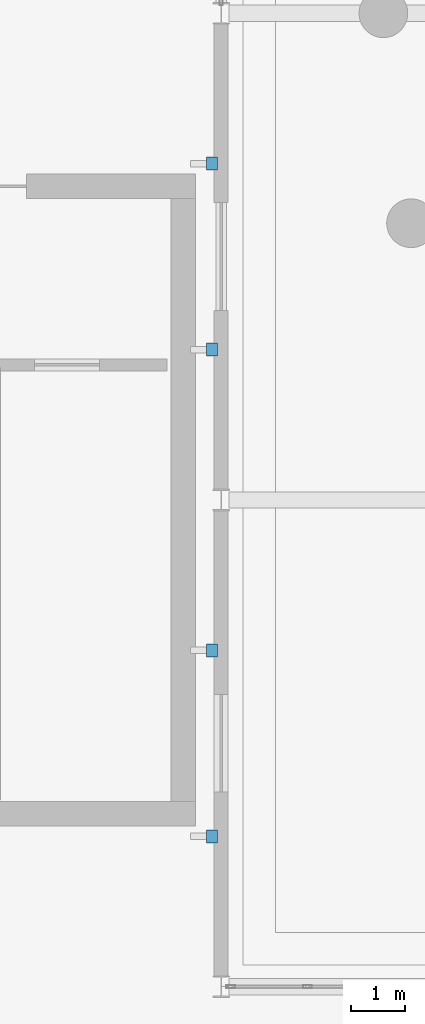
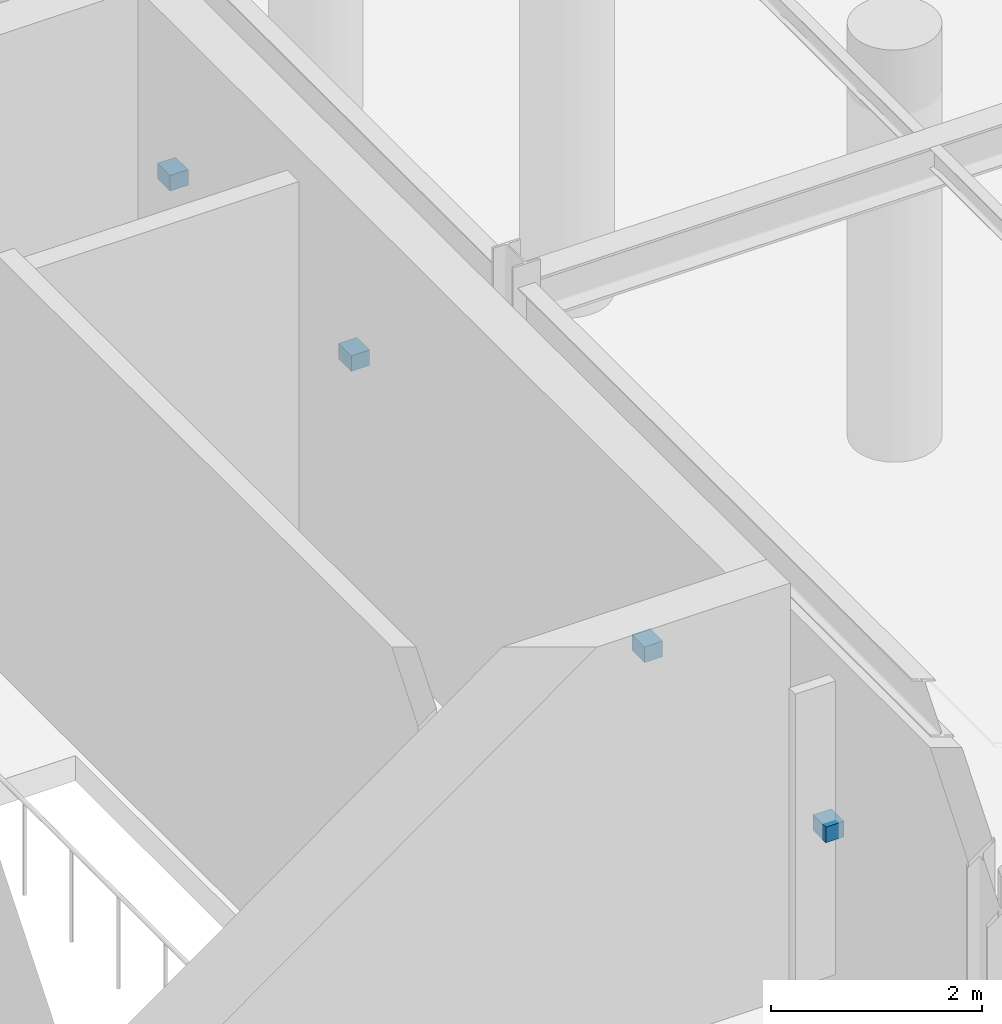
# One storey, part 25 of 29: 4 discrete accessories.
"""IFC4 building model written with IfcOpenShell, lengths in metres."""

from ifc_helpers import new_model, si_unit, direction, frame, origin, origin_2d, place, context, subcontext, project, spatial, rectangle, extrude, material, layer, layer_set, type_object, element, save


model = new_model("IFC4")

# Units and contexts
model_context = context("Model", 3, precision=1e-05, world=origin(), true_north=direction((0.0, 1.0)))
body_context = subcontext(model_context, "Body", "Model", "MODEL_VIEW")
ifc_project = project(units=[si_unit("LENGTHUNIT", "METRE"), si_unit("AREAUNIT", "SQUARE_METRE"), si_unit("VOLUMEUNIT", "CUBIC_METRE"), si_unit("PLANEANGLEUNIT", "RADIAN"), si_unit("MASSUNIT", "GRAM", prefix="KILO")], contexts=[model_context])

# Site, building, storey
site_placement = place(None, origin())
site = spatial("IfcSite", under=ifc_project, at=site_placement, CompositionType="ELEMENT")
building_placement = place(site_placement, origin())
building = spatial("IfcBuilding", under=site, at=building_placement, Name="Dornveld Trade and Exhibition Forum", CompositionType="ELEMENT")
storey_placement = place(building_placement, frame((0.0, 0.0, 21.60009765625)))
storey = spatial("IfcBuildingStorey", under=building, at=storey_placement, Name="L04", CompositionType="ELEMENT", Elevation=21.60009765625)

# Discrete accessories
ifc_material = material(Name="Steel S355J2", Category="steel")
ifc_layer = layer(ifc_material, 0.179931640625)
ifc_layer_set = layer_set([ifc_layer], Name="Steel S355J2")
discrete_accessory_type = type_object("IfcDiscreteAccessoryType", Name="ACC-BRK-STL", PredefinedType="BRACKET", material=ifc_layer_set)
for number, where, z_axis, x_axis, name in (
    (1, (98.830078125, 69.22021484375, 1.91015625), (0.0, 0.0, 1.0), (0.0, -1.0, 0.0), "L04 solar fin bracket 6"),
    (2, (98.830078125, 65.77978515625, 1.91015625), (0.0, 0.0, 1.0), (0.0, -1.0, 0.0), "L04 solar fin bracket 7"),
    (3, (98.830078125, 78.22021484375, 1.91015625), (0.0, 0.0, 1.0), (0.0, -1.0, 0.0), "L04 solar fin bracket 8"),
    (4, (98.830078125, 74.77978515625, 1.91015625), (0.0, 0.0, 1.0), (0.0, -1.0, 0.0), "L04 solar fin bracket 9"),
):
    element("IfcDiscreteAccessory", number, at=place(storey_placement, frame(where, z_axis=z_axis, x_axis=x_axis)), inside=storey, type_object=discrete_accessory_type, Name=name, PredefinedType="BRACKET", context=body_context, shape_type="SweptSolid", body=[
        extrude(rectangle(XDim=0.239990234375, YDim=0.199951171875, at=origin_2d()), origin(), (0.0, 0.0, 1.0), 0.179931640625),
    ])

save(model, "model.ifc")
